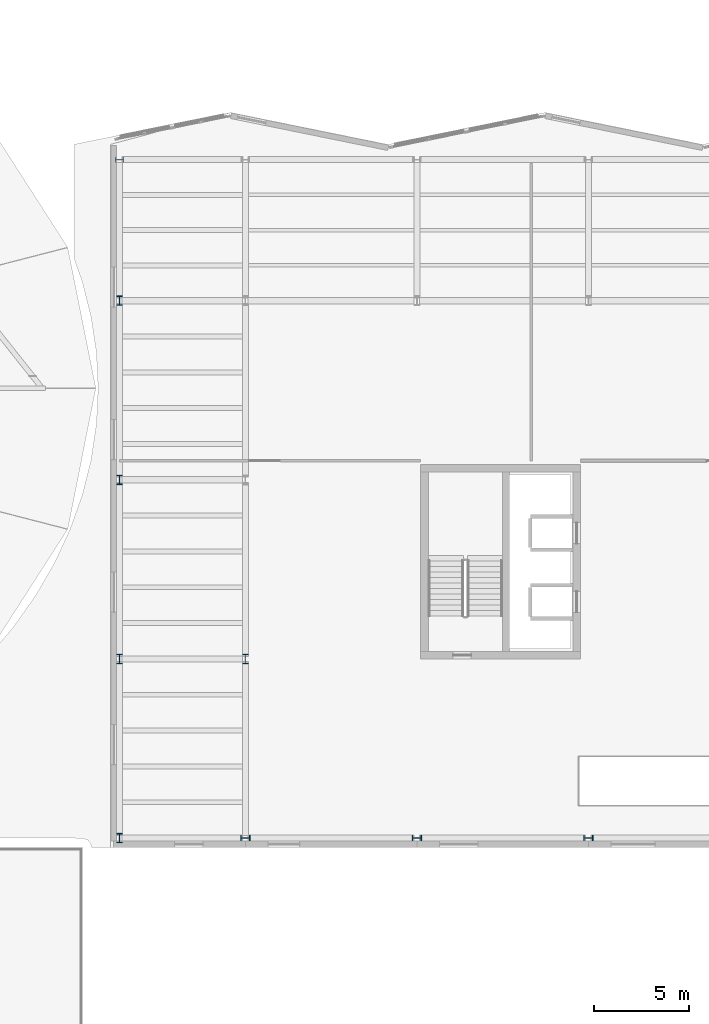
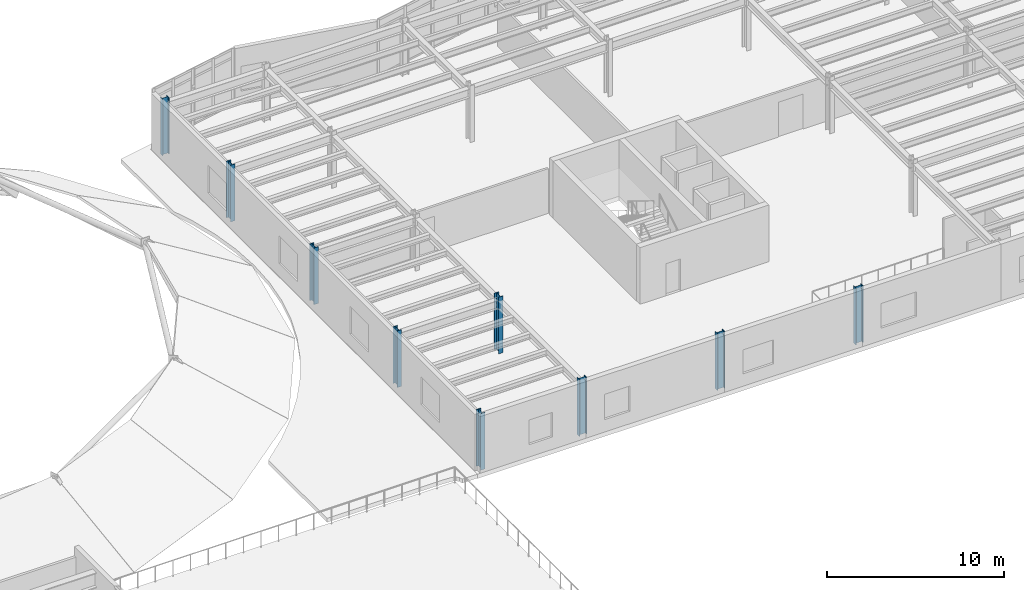
# One storey, part 6 of 59: 9 columns.
"""IFC4 building model written with IfcOpenShell, lengths in metres."""

from ifc_helpers import new_model, si_unit, direction, frame, origin, origin_2d, place, context, subcontext, project, spatial, i_section, extrude, material, material_profile, profile_set, type_object, element, save


model = new_model("IFC4")

# Units and contexts
model_context = context("Model", 3, precision=1e-05, world=origin(), true_north=direction((0.0, 1.0)))
body_context = subcontext(model_context, "Body", "Model", "MODEL_VIEW")
ifc_project = project(units=[si_unit("LENGTHUNIT", "METRE"), si_unit("AREAUNIT", "SQUARE_METRE"), si_unit("VOLUMEUNIT", "CUBIC_METRE"), si_unit("PLANEANGLEUNIT", "RADIAN"), si_unit("MASSUNIT", "GRAM", prefix="KILO")], contexts=[model_context])

# Site, building, storey
site_placement = place(None, origin())
site = spatial("IfcSite", under=ifc_project, at=site_placement, CompositionType="ELEMENT")
building_placement = place(site_placement, origin())
building = spatial("IfcBuilding", under=site, at=building_placement, Name="Sollismere Congress Hotel", CompositionType="ELEMENT")
storey_placement = place(building_placement, frame((0.0, 0.0, 15.60009765625)))
storey = spatial("IfcBuildingStorey", under=building, at=storey_placement, Name="L03", CompositionType="ELEMENT", Elevation=15.60009765625)

# Columns
ifc_material = material(Name="Steel ASTM A992 Grade 50", Category="steel")
ifc_material_profile_1 = material_profile(ifc_material, i_section(OverallWidth=0.261962890625, OverallDepth=0.4189453125, WebThickness=0.01171875, FlangeThickness=0.019287109375, at=origin_2d()), Name="W16X77")
ifc_profile_set_1 = profile_set([ifc_material_profile_1], Name="Steel ASTM A992 Grade 50")
column_type_1 = type_object("IfcColumnType", Name="COL-W16", PredefinedType="COLUMN", material=ifc_profile_set_1)
column_placement = place(storey_placement, frame((60.39990234375, 102.39990234375, 0.0), z_axis=(0.0, 0.0, 1.0), x_axis=(0.0, 1.0, 0.0)))
element("IfcColumn", 1, at=column_placement, inside=storey, type_object=column_type_1, Name="Column CL-L03-1085", PredefinedType="COLUMN", context=body_context, shape_type="SweptSolid", body=[
    extrude(i_section(OverallWidth=0.261962890625, OverallDepth=0.4189453125, WebThickness=0.01171875, FlangeThickness=0.019287109375, at=origin_2d()), origin(), (0.0, 0.0, 1.0), 3.89990234375),
])
ifc_material_profile_2 = material_profile(ifc_material, i_section(OverallWidth=0.283935546875, OverallDepth=0.4951171875, WebThickness=0.0185546875, FlangeThickness=0.033447265625, at=origin_2d()), Name="W18X143")
ifc_profile_set_2 = profile_set([ifc_material_profile_2], Name="Steel ASTM A992 Grade 50")
column_type_2 = type_object("IfcColumnType", Name="COL-W18", PredefinedType="COLUMN", material=ifc_profile_set_2)
for number, where, z_axis, x_axis, name in (
    (2, (67.0, 66.800048828125, 0.0), (0.0, 0.0, 1.0), (0.0, 1.0, 0.0), "Column CL-L03-318"),
    (3, (67.0, 76.199951171875, 0.0), (0.0, 0.0, 1.0), (1.0, 0.0, 0.0), "Column CL-L03-324"),
    (4, (76.0, 66.800048828125, 0.0), (0.0, 0.0, 1.0), (0.0, 1.0, 0.0), "Column CL-L03-382"),
    (5, (85.0, 66.800048828125, 0.0), (0.0, 0.0, 1.0), (0.0, 1.0, 0.0), "Column CL-L03-441"),
    (6, (60.39990234375, 66.800048828125, 0.0), (0.0, 0.0, 1.0), (1.0, 0.0, 0.0), "Column CL-L03-1061"),
    (7, (60.39990234375, 76.199951171875, 0.0), (0.0, 0.0, 1.0), (1.0, 0.0, 0.0), "Column CL-L03-1067"),
    (8, (60.39990234375, 85.60009765625, 0.0), (0.0, 0.0, 1.0), (1.0, 0.0, 0.0), "Column CL-L03-1073"),
    (9, (60.39990234375, 95.0, 0.0), (0.0, 0.0, 1.0), (1.0, 0.0, 0.0), "Column CL-L03-1079"),
):
    element("IfcColumn", number, at=place(storey_placement, frame(where, z_axis=z_axis, x_axis=x_axis)), inside=storey, type_object=column_type_2, Name=name, PredefinedType="COLUMN", context=body_context, shape_type="SweptSolid", body=[
        extrude(i_section(OverallWidth=0.283935546875, OverallDepth=0.4951171875, WebThickness=0.0185546875, FlangeThickness=0.033447265625, at=origin_2d()), origin(), (0.0, 0.0, 1.0), 3.89990234375),
    ])

save(model, "model.ifc")
